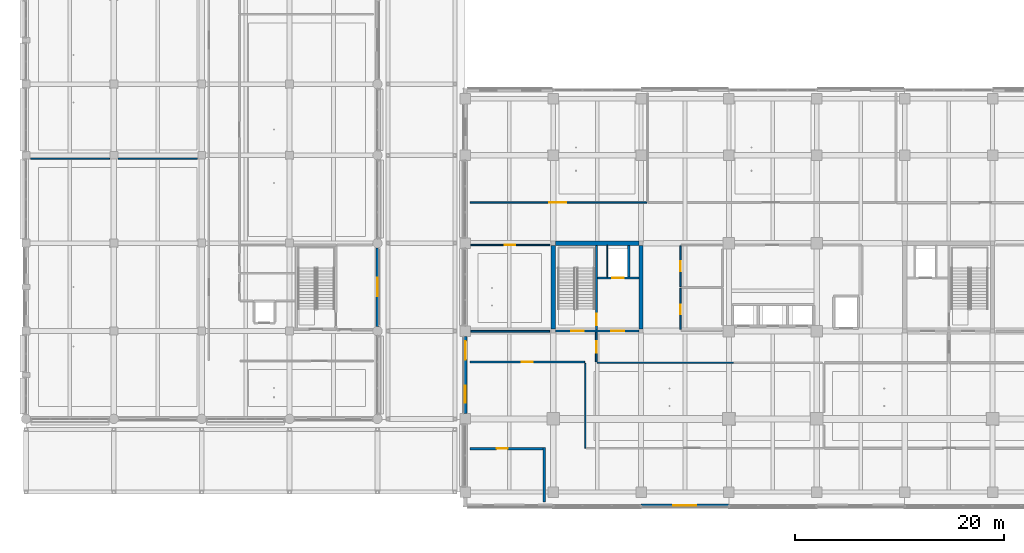
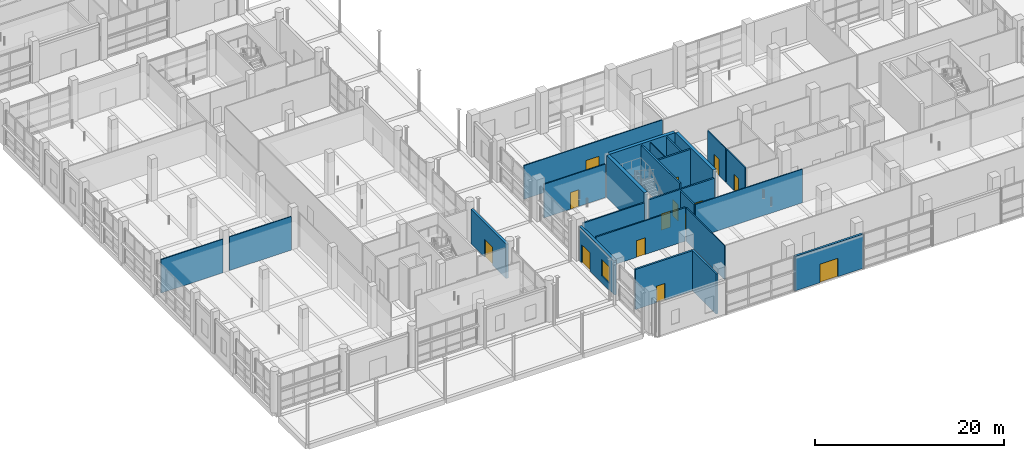
# One storey, part 58 of 140: 24 walls, 14 doors, 1 window, 15 openings.
"""IFC4 building model written with IfcOpenShell, lengths in metres."""

from ifc_helpers import new_model, si_unit, direction, frame, frame_2d, origin, place, context, subcontext, project, spatial, rectangle, extrude, material, layer, layer_set, type_object, element, fill, save


model = new_model("IFC4")

# Units and contexts
model_context = context("Model", 3, precision=1e-05, world=origin(), true_north=direction((0.0, 1.0)))
body_context = subcontext(model_context, "Body", "Model", "MODEL_VIEW")
ifc_project = project(units=[si_unit("LENGTHUNIT", "METRE"), si_unit("AREAUNIT", "SQUARE_METRE"), si_unit("VOLUMEUNIT", "CUBIC_METRE"), si_unit("PLANEANGLEUNIT", "RADIAN"), si_unit("MASSUNIT", "GRAM", prefix="KILO")], contexts=[model_context])

# Site, building, storey
site_placement = place(None, origin())
site = spatial("IfcSite", under=ifc_project, at=site_placement, CompositionType="ELEMENT")
building_placement = place(site_placement, origin())
building = spatial("IfcBuilding", under=site, at=building_placement, Name="Telukmera Botanical Conservatory", CompositionType="ELEMENT")
storey_placement = place(building_placement, origin())
storey = spatial("IfcBuildingStorey", under=building, at=storey_placement, Name="L00", CompositionType="ELEMENT", Elevation=0.0)

# Wall, opening, door
ifc_material_1 = material(Name="Granite-faced precast concrete C40/50", Category="masonry")
ifc_layer_1 = layer(ifc_material_1, 0.260009765625)
ifc_layer_set_1 = layer_set([ifc_layer_1], Name="Granite-faced precast concrete C40/50")
wall_type_1 = type_object("IfcWallType", Name="Exterior Granite Precast Plinth Wall 260", PredefinedType="SOLIDWALL", material=ifc_layer_set_1)
wall_1_placement = place(storey_placement, frame((67.201904296875, 9.320068359375, 0.0), z_axis=(0.0, 0.0, 1.0), x_axis=(1.0, 0.0, 0.0)))
wall_1 = element("IfcWall", 1, at=wall_1_placement, inside=storey, type_object=wall_type_1, Name="Exterior Precast Wall EW01 V4:L00:S3", PredefinedType="SOLIDWALL", context=body_context, shape_type="SweptSolid", body=[
    extrude(rectangle(XDim=8.39599609375, YDim=0.260009765625, at=frame_2d((4.197998046875, 0.0))), origin(), (0.0, 0.0, 1.0), 4.449951171875),
])
opening_1_placement = place(wall_1_placement, frame((3.097900390625, 0.0, 0.0)))
opening_1 = element("IfcOpeningElement", 2, at=opening_1_placement, cuts=wall_1, Name="Opening D001", PredefinedType="OPENING", context=body_context, shape_type="SweptSolid", body=[
    extrude(rectangle(XDim=2.199951171875, YDim=2.39990234375, at=frame_2d((1.10009765625, 1.199951171875))), frame((0.0, 0.139892578125, 0.0), z_axis=(0.0, -1.0, 0.0), x_axis=(1.0, 0.0, 0.0)), (0.0, 0.0, 1.0), 0.280029296875),
])
ifc_material_2 = material(Name="Thermally broken anodised aluminium glazed door assembly", Category="aluminium")
door_type_1 = type_object("IfcDoorType", Name="Main Boulevard Tower West Entrance Double Door 2200x2400", OperationType="NOTDEFINED", PredefinedType="DOOR", material=ifc_material_2)
door_1_placement = place(opening_1_placement, frame((2.199951171875, 0.0, 0.0), z_axis=(0.0, 0.0, 1.0), x_axis=(-1.0, 0.0, 0.0)))
door_1 = element("IfcDoor", 3, at=door_1_placement, inside=storey, type_object=door_type_1, Name="Exterior Door D001", OperationType="DOUBLE_DOOR_SINGLE_SWING", OverallHeight=2.39990234375, OverallWidth=2.199951171875, PredefinedType="DOOR", context=body_context, shape_type="SweptSolid", body=[
    extrude(rectangle(XDim=2.199951171875, YDim=2.39990234375, at=frame_2d((1.10009765625, 1.199951171875))), frame((0.0, 0.02490234375, 0.0), z_axis=(0.0, -1.0, 0.0), x_axis=(1.0, 0.0, 0.0)), (0.0, 0.0, 1.0), 0.050048828125),
])
fill(opening_1, door_1)

ifc_material_3 = material(Name="Terracotta-faced precast concrete C40/50", Category="masonry")
ifc_layer_2 = layer(ifc_material_3, 0.300048828125)
ifc_layer_set_2 = layer_set([ifc_layer_2], Name="Terracotta-faced precast concrete C40/50")
wall_type_2 = type_object("IfcWallType", Name="Exterior Polychrome Terracotta Precast Wall 300", PredefinedType="SOLIDWALL", material=ifc_layer_set_2)
wall_2_placement = place(storey_placement, frame((42.0, 26.451904296875, 0.0), z_axis=(0.0, 0.0, 1.0), x_axis=(0.0, 1.0, 0.0)))
wall_2 = element("IfcWall", 4, at=wall_2_placement, inside=storey, type_object=wall_type_2, Name="Exterior Precast Wall EW02 V3:L00:E2", PredefinedType="SOLIDWALL", context=body_context, shape_type="SweptSolid", body=[
    extrude(rectangle(XDim=7.49609375, YDim=0.300048828125, at=frame_2d((3.748046875, 0.0))), origin(), (0.0, 0.0, 1.0), 4.449951171875),
])
opening_2_placement = place(wall_2_placement, frame((2.873046875, 0.0, 0.0)))
opening_2 = element("IfcOpeningElement", 5, at=opening_2_placement, cuts=wall_2, Name="Opening D013", PredefinedType="OPENING", context=body_context, shape_type="SweptSolid", body=[
    extrude(rectangle(XDim=1.75, YDim=2.35009765625, at=frame_2d((0.875, 1.175048828125))), frame((0.0, 0.159912109375, 0.0), z_axis=(0.0, -1.0, 0.0), x_axis=(1.0, 0.0, 0.0)), (0.0, 0.0, 1.0), 0.320068359375),
])
door_type_2 = type_object("IfcDoorType", Name="Protected Stair Exit Vestibule Final Exit Door 1750x2350", OperationType="NOTDEFINED", PredefinedType="DOOR", material=ifc_material_2)
door_2_placement = place(opening_2_placement, frame((1.75, 0.0, 0.0), z_axis=(0.0, 0.0, 1.0), x_axis=(-1.0, 0.0, 0.0)))
door_2 = element("IfcDoor", 6, at=door_2_placement, inside=storey, type_object=door_type_2, Name="Exterior Door D013", OperationType="DOUBLE_DOOR_SINGLE_SWING", OverallHeight=2.35009765625, OverallWidth=1.75, PredefinedType="DOOR", context=body_context, shape_type="SweptSolid", body=[
    extrude(rectangle(XDim=1.75, YDim=2.35009765625, at=frame_2d((0.875, 1.175048828125))), frame((0.0, 0.02490234375, 0.0), z_axis=(0.0, -1.0, 0.0), x_axis=(1.0, 0.0, 0.0)), (0.0, 0.0, 1.0), 0.050048828125),
])
fill(opening_2, door_2)

# Wall, openings, window, door
wall_3_placement = place(storey_placement, frame((50.39990234375, 18.10205078125, 0.0), z_axis=(0.0, 0.0, 1.0), x_axis=(0.0, 1.0, 0.0)))
wall_3 = element("IfcWall", 7, at=wall_3_placement, inside=storey, type_object=wall_type_2, Name="Exterior Precast Wall EW02 V4:L00:W2", PredefinedType="SOLIDWALL", context=body_context, shape_type="SweptSolid", body=[
    extrude(rectangle(XDim=7.39599609375, YDim=0.300048828125, at=frame_2d((3.697998046875, 0.0))), origin(), (0.0, 0.0, 1.0), 4.449951171875),
])
opening_3_placement = place(wall_3_placement, frame((5.173095703125, 0.0, 0.0)))
opening_3 = element("IfcOpeningElement", 8, at=opening_3_placement, cuts=wall_3, Name="Opening D013", PredefinedType="OPENING", context=body_context, shape_type="SweptSolid", body=[
    extrude(rectangle(XDim=1.75, YDim=2.35009765625, at=frame_2d((0.875, 1.175048828125))), frame((0.0, 0.159912109375, 0.0), z_axis=(0.0, -1.0, 0.0), x_axis=(1.0, 0.0, 0.0)), (0.0, 0.0, 1.0), 0.320068359375),
])
opening_4_placement = place(wall_3_placement, frame((1.049072265625, 0.0, 0.89990234375)))
opening_4 = element("IfcOpeningElement", 9, at=opening_4_placement, cuts=wall_3, Name="Opening W07", PredefinedType="OPENING", context=body_context, shape_type="SweptSolid", body=[
    extrude(rectangle(XDim=1.60009765625, YDim=2.10009765625, at=frame_2d((0.800048828125, 1.050048828125))), frame((0.0, 0.159912109375, 0.0), z_axis=(0.0, -1.0, 0.0), x_axis=(1.0, 0.0, 0.0)), (0.0, 0.0, 1.0), 0.320068359375),
])
ifc_material_4 = material(Name="Thermally broken anodised aluminium frame with low-E double glazing", Category="aluminium")
window_type = type_object("IfcWindowType", Name="Double Vertical Curation Study Window 1600x2100", PartitioningType="DOUBLE_PANEL_VERTICAL", PredefinedType="WINDOW", material=ifc_material_4)
window_placement = place(opening_4_placement, origin())
window = element("IfcWindow", 10, at=window_placement, inside=storey, type_object=window_type, Name="Facade Window W07 V4:L00:W2 1", OverallHeight=2.10009765625, OverallWidth=1.60009765625, PartitioningType="DOUBLE_PANEL_VERTICAL", PredefinedType="WINDOW", context=body_context, shape_type="SweptSolid", body=[
    extrude(rectangle(XDim=1.60009765625, YDim=2.10009765625, at=frame_2d((0.800048828125, 1.050048828125))), frame((0.0, 0.030029296875, 0.0), z_axis=(0.0, -1.0, 0.0), x_axis=(1.0, 0.0, 0.0)), (0.0, 0.0, 1.0), 0.06005859375),
])
fill(opening_4, window)
door_3_placement = place(opening_3_placement, origin())
door_3 = element("IfcDoor", 11, at=door_3_placement, inside=storey, type_object=door_type_2, Name="Exterior Door D013", OperationType="DOUBLE_DOOR_SINGLE_SWING", OverallHeight=2.35009765625, OverallWidth=1.75, PredefinedType="DOOR", context=body_context, shape_type="SweptSolid", body=[
    extrude(rectangle(XDim=1.75, YDim=2.35009765625, at=frame_2d((0.875, 1.175048828125))), frame((0.0, 0.02490234375, 0.0), z_axis=(0.0, -1.0, 0.0), x_axis=(1.0, 0.0, 0.0)), (0.0, 0.0, 1.0), 0.050048828125),
])
fill(opening_3, door_3)

# Wall, openings, doors
ifc_material_5 = material(Name="Concrete C40/50", Category="concrete")
ifc_layer_3 = layer(ifc_material_5, 0.199951171875)
ifc_layer_set_3 = layer_set([ifc_layer_3], Name="Concrete C40/50")
wall_type_3 = type_object("IfcWallType", Name="WT-CORE-200", PredefinedType="SOLIDWALL", material=ifc_layer_set_3)
wall_4_placement = place(storey_placement, frame((59.0, 26.0, 0.0), z_axis=(0.0, 0.0, 1.0), x_axis=(1.0, 0.0, 0.0)))
wall_4 = element("IfcWall", 12, at=wall_4_placement, inside=storey, type_object=wall_type_3, Name="L00 Core C1 South Fire Wall", PredefinedType="SOLIDWALL", context=body_context, shape_type="SweptSolid", body=[
    extrude(rectangle(XDim=8.0, YDim=0.199951171875, at=frame_2d((4.0, 0.0))), origin(), (0.0, 0.0, 1.0), 4.530029296875),
])
opening_5_placement = place(wall_4_placement, frame((1.550048828125, 0.0, 0.0)))
opening_5 = element("IfcOpeningElement", 13, at=opening_5_placement, cuts=wall_4, Name="Opening FD60A", PredefinedType="OPENING", context=body_context, shape_type="SweptSolid", body=[
    extrude(rectangle(XDim=1.14990234375, YDim=2.14990234375, at=frame_2d((0.574951171875, 1.074951171875))), frame((0.0, 0.10986328125, 0.0), z_axis=(0.0, -1.0, 0.0), x_axis=(1.0, 0.0, 0.0)), (0.0, 0.0, 1.0), 0.219970703125),
])
opening_6_placement = place(wall_4_placement, frame((5.35009765625, 0.0, 0.0)))
opening_6 = element("IfcOpeningElement", 14, at=opening_6_placement, cuts=wall_4, Name="Opening FD60C", PredefinedType="OPENING", context=body_context, shape_type="SweptSolid", body=[
    extrude(rectangle(XDim=1.219970703125, YDim=2.14990234375, at=frame_2d((0.60986328125, 1.074951171875))), frame((0.0, 0.10986328125, 0.0), z_axis=(0.0, -1.0, 0.0), x_axis=(1.0, 0.0, 0.0)), (0.0, 0.0, 1.0), 0.219970703125),
])
ifc_material_6 = material(Name="Hardwood fire door", Category="wood")
door_type_3 = type_object("IfcDoorType", Name="DT-FD60-01", OperationType="NOTDEFINED", PredefinedType="DOOR", material=ifc_material_6)
door_4_placement = place(opening_5_placement, frame((1.14990234375, 0.0, 0.0), z_axis=(0.0, 0.0, 1.0), x_axis=(-1.0, 0.0, 0.0)))
door_4 = element("IfcDoor", 15, at=door_4_placement, inside=storey, type_object=door_type_3, Name="L00 Stair ST1 Escape Door", OperationType="SINGLE_SWING_RIGHT", OverallHeight=2.14990234375, OverallWidth=1.14990234375, PredefinedType="DOOR", context=body_context, shape_type="SweptSolid", body=[
    extrude(rectangle(XDim=1.14990234375, YDim=2.14990234375, at=frame_2d((0.574951171875, 1.074951171875))), frame((0.0, 0.02490234375, 0.0), z_axis=(0.0, -1.0, 0.0), x_axis=(1.0, 0.0, 0.0)), (0.0, 0.0, 1.0), 0.050048828125),
])
fill(opening_5, door_4)
door_type_4 = type_object("IfcDoorType", Name="DT-FD60-03", OperationType="NOTDEFINED", PredefinedType="DOOR", material=ifc_material_6)
door_5_placement = place(opening_6_placement, origin())
door_5 = element("IfcDoor", 16, at=door_5_placement, inside=storey, type_object=door_type_4, Name="L00 Firefighting Lobby C1 Door", OperationType="SINGLE_SWING_LEFT", OverallHeight=2.14990234375, OverallWidth=1.219970703125, PredefinedType="DOOR", context=body_context, shape_type="SweptSolid", body=[
    extrude(rectangle(XDim=1.219970703125, YDim=2.14990234375, at=frame_2d((0.60986328125, 1.074951171875))), frame((0.0, 0.02490234375, 0.0), z_axis=(0.0, -1.0, 0.0), x_axis=(1.0, 0.0, 0.0)), (0.0, 0.0, 1.0), 0.050048828125),
])
fill(opening_6, door_5)

# Wall, opening, door
wall_5_placement = place(storey_placement, frame((62.949951171875, 26.10009765625, 0.0), z_axis=(0.0, 0.0, 1.0), x_axis=(0.0, 1.0, 0.0)))
wall_5 = element("IfcWall", 17, at=wall_5_placement, inside=storey, type_object=wall_type_3, Name="L00 Core C1 Stair-Lobby Wall", PredefinedType="SOLIDWALL", context=body_context, shape_type="SweptSolid", body=[
    extrude(rectangle(XDim=8.099853515625, YDim=0.199951171875, at=frame_2d((4.0498046875, 0.0))), origin(), (0.0, 0.0, 1.0), 5.199951171875),
])
opening_7_placement = place(wall_5_placement, frame((0.449951171875, 0.0, 0.0)))
opening_7 = element("IfcOpeningElement", 18, at=opening_7_placement, cuts=wall_5, Name="Opening FD60B", PredefinedType="OPENING", context=body_context, shape_type="SweptSolid", body=[
    extrude(rectangle(XDim=1.1201171875, YDim=2.14990234375, at=frame_2d((0.56005859375, 1.074951171875))), frame((0.0, 0.10986328125, 0.0), z_axis=(0.0, -1.0, 0.0), x_axis=(1.0, 0.0, 0.0)), (0.0, 0.0, 1.0), 0.219970703125),
])
door_type_5 = type_object("IfcDoorType", Name="DT-FD60-02", OperationType="NOTDEFINED", PredefinedType="DOOR", material=ifc_material_6)
door_6_placement = place(opening_7_placement, frame((1.1201171875, 0.0, 0.0), z_axis=(0.0, 0.0, 1.0), x_axis=(-1.0, 0.0, 0.0)))
door_6 = element("IfcDoor", 19, at=door_6_placement, inside=storey, type_object=door_type_5, Name="L00 Firefighting Lobby C1 to ST1 Door", OperationType="SINGLE_SWING_RIGHT", OverallHeight=2.14990234375, OverallWidth=1.1201171875, PredefinedType="DOOR", context=body_context, shape_type="SweptSolid", body=[
    extrude(rectangle(XDim=1.1201171875, YDim=2.14990234375, at=frame_2d((0.56005859375, 1.074951171875))), frame((0.0, 0.02490234375, 0.0), z_axis=(0.0, -1.0, 0.0), x_axis=(1.0, 0.0, 0.0)), (0.0, 0.0, 1.0), 0.050048828125),
])
fill(opening_7, door_6)

wall_6_placement = place(storey_placement, frame((63.050048828125, 31.050048828125, 0.0), z_axis=(0.0, 0.0, 1.0), x_axis=(1.0, 0.0, 0.0)))
wall_6 = element("IfcWall", 20, at=wall_6_placement, inside=storey, type_object=wall_type_3, Name="L00 Fire Lift FL1 Shaft Front Wall", PredefinedType="SOLIDWALL", context=body_context, shape_type="SweptSolid", body=[
    extrude(rectangle(XDim=3.949951171875, YDim=0.199951171875, at=frame_2d((1.97509765625, 0.0))), origin(), (0.0, 0.0, 1.0), 5.199951171875),
])
opening_8_placement = place(wall_6_placement, frame((1.39990234375, 0.0, 0.0)))
opening_8 = element("IfcOpeningElement", 21, at=opening_8_placement, cuts=wall_6, Name="Opening LD01", PredefinedType="OPENING", context=body_context, shape_type="SweptSolid", body=[
    extrude(rectangle(XDim=1.10009765625, YDim=2.14990234375, at=frame_2d((0.550048828125, 1.074951171875))), frame((0.0, 0.10986328125, 0.0), z_axis=(0.0, -1.0, 0.0), x_axis=(1.0, 0.0, 0.0)), (0.0, 0.0, 1.0), 0.219970703125),
])
ifc_material_7 = material(Name="Stainless steel 316", Category="steel")
door_type_6 = type_object("IfcDoorType", Name="DT-LD01", OperationType="SLIDING_TO_LEFT", PredefinedType="DOOR", material=ifc_material_7)
door_7_placement = place(opening_8_placement, frame((1.10009765625, 0.0, 0.0), z_axis=(0.0, 0.0, 1.0), x_axis=(-1.0, 0.0, 0.0)))
door_7 = element("IfcDoor", 22, at=door_7_placement, inside=storey, type_object=door_type_6, Name="L00 Lift Landing Door FL1", OperationType="SLIDING_TO_LEFT", OverallHeight=2.14990234375, OverallWidth=1.10009765625, PredefinedType="DOOR", context=body_context, shape_type="SweptSolid", body=[
    extrude(rectangle(XDim=1.10009765625, YDim=2.14990234375, at=frame_2d((0.550048828125, 1.074951171875))), frame((0.0, 0.02490234375, 0.0), z_axis=(0.0, -1.0, 0.0), x_axis=(1.0, 0.0, 0.0)), (0.0, 0.0, 1.0), 0.050048828125),
])
fill(opening_8, door_7)

# Walls
wall_7_placement = place(storey_placement, frame((66.02001953125, 31.14990234375, 0.0), z_axis=(0.0, 0.0, 1.0), x_axis=(0.0, 1.0, 0.0)))
element("IfcWall", 23, at=wall_7_placement, inside=storey, type_object=wall_type_3, Name="L00 Fire Lift FL1 Shaft East Wall", PredefinedType="SOLIDWALL", context=body_context, shape_type="SweptSolid", body=[
    extrude(rectangle(XDim=3.050048828125, YDim=0.199951171875, at=frame_2d((1.52490234375, 0.0))), origin(), (0.0, 0.0, 1.0), 5.199951171875),
])
ifc_material_8 = material(Name="Aluminium framed acoustic glass", Category="aluminium")
ifc_layer_4 = layer(ifc_material_8, 0.1201171875)
ifc_layer_set_4 = layer_set([ifc_layer_4], Name="Aluminium framed acoustic glass")
wall_type_4 = type_object("IfcWallType", Name="WT-GLAZ-120", PredefinedType="PARTITIONING", material=ifc_layer_set_4)
wall_8_placement = place(storey_placement, frame((8.85009765625, 42.47509765625, 0.0), z_axis=(0.0, 0.0, 1.0), x_axis=(1.0, 0.0, 0.0)))
element("IfcWall", 24, at=wall_8_placement, inside=storey, type_object=wall_type_4, Name="L00 Interior Partition 17", PredefinedType="PARTITIONING", context=body_context, shape_type="SweptSolid", body=[
    extrude(rectangle(XDim=7.544921875, YDim=0.1201171875, at=frame_2d((3.7724609375, 0.0))), origin(), (0.0, 0.0, 1.0), 4.35009765625),
])
wall_9_placement = place(storey_placement, frame((17.205078125, 42.47509765625, 0.0), z_axis=(0.0, 0.0, 1.0), x_axis=(1.0, 0.0, 0.0)))
element("IfcWall", 25, at=wall_9_placement, inside=storey, type_object=wall_type_4, Name="L00 Interior Partition 18", PredefinedType="PARTITIONING", context=body_context, shape_type="SweptSolid", body=[
    extrude(rectangle(XDim=7.58984375, YDim=0.1201171875, at=frame_2d((3.794921875, 0.0))), origin(), (0.0, 0.0, 1.0), 4.35009765625),
])

# Wall, opening, door
wall_10_placement = place(storey_placement, frame((50.929931640625, 34.22509765625, 0.0), z_axis=(0.0, 0.0, 1.0), x_axis=(1.0, 0.0, 0.0)))
wall_10 = element("IfcWall", 26, at=wall_10_placement, inside=storey, type_object=wall_type_4, Name="L00 Interior Partition 72", PredefinedType="PARTITIONING", context=body_context, shape_type="SweptSolid", body=[
    extrude(rectangle(XDim=7.52001953125, YDim=0.1201171875, at=frame_2d((3.760009765625, 0.0))), origin(), (0.0, 0.0, 1.0), 4.35009765625),
])
opening_9_placement = place(wall_10_placement, frame((3.260009765625, 0.0, 0.0)))
opening_9 = element("IfcOpeningElement", 27, at=opening_9_placement, cuts=wall_10, Name="Opening ID14", PredefinedType="OPENING", context=body_context, shape_type="SweptSolid", body=[
    extrude(rectangle(XDim=1.0, YDim=2.14990234375, at=frame_2d((0.5, 1.074951171875))), frame((0.0, 0.070068359375, 0.0), z_axis=(0.0, -1.0, 0.0), x_axis=(1.0, 0.0, 0.0)), (0.0, 0.0, 1.0), 0.14013671875),
])
ifc_material_9 = material(Name="Acoustic timber office door", Category="wood")
door_type_7 = type_object("IfcDoorType", Name="DT-WRT-100", OperationType="NOTDEFINED", PredefinedType="DOOR", material=ifc_material_9)
door_8_placement = place(opening_9_placement, frame((1.0, 0.0, 0.0), z_axis=(0.0, 0.0, 1.0), x_axis=(-1.0, 0.0, 0.0)))
door_8 = element("IfcDoor", 28, at=door_8_placement, inside=storey, type_object=door_type_7, Name="L00 Boulevard Security Control Room Door", OperationType="SINGLE_SWING_LEFT", OverallHeight=2.14990234375, OverallWidth=1.0, PredefinedType="DOOR", context=body_context, shape_type="SweptSolid", body=[
    extrude(rectangle(XDim=1.0, YDim=2.14990234375, at=frame_2d((0.5, 1.074951171875))), frame((0.0, 0.02490234375, 0.0), z_axis=(0.0, -1.0, 0.0), x_axis=(1.0, 0.0, 0.0)), (0.0, 0.0, 1.0), 0.050048828125),
])
fill(opening_9, door_8)

# Walls
wall_11_placement = place(storey_placement, frame((63.0, 22.97509765625, 0.0), z_axis=(0.0, 0.0, 1.0), x_axis=(1.0, 0.0, 0.0)))
element("IfcWall", 29, at=wall_11_placement, inside=storey, type_object=wall_type_4, Name="L00 Interior Partition 79", PredefinedType="PARTITIONING", context=body_context, shape_type="SweptSolid", body=[
    extrude(rectangle(XDim=13.0400390625, YDim=0.1201171875, at=frame_2d((6.52001953125, 0.0))), origin(), (0.0, 0.0, 1.0), 4.35009765625),
])
wall_12_placement = place(storey_placement, frame((61.875, 14.800048828125, 0.0), z_axis=(0.0, 0.0, 1.0), x_axis=(0.0, 1.0, 0.0)))
element("IfcWall", 30, at=wall_12_placement, inside=storey, type_object=wall_type_4, Name="L00 Interior Partition 83", PredefinedType="PARTITIONING", context=body_context, shape_type="SweptSolid", body=[
    extrude(rectangle(XDim=8.099853515625, YDim=0.1201171875, at=frame_2d((4.0498046875, 0.0))), origin(), (0.0, 0.0, 1.0), 4.35009765625),
])

# Wall, opening, door
wall_13_placement = place(storey_placement, frame((50.85009765625, 38.27490234375, 0.0), z_axis=(0.0, 0.0, 1.0), x_axis=(1.0, 0.0, 0.0)))
wall_13 = element("IfcWall", 31, at=wall_13_placement, inside=storey, type_object=wall_type_4, Name="L00 Interior Partition 88", PredefinedType="PARTITIONING", context=body_context, shape_type="SweptSolid", body=[
    extrude(rectangle(XDim=16.89990234375, YDim=0.1201171875, at=frame_2d((8.449951171875, 0.0))), origin(), (0.0, 0.0, 1.0), 4.35009765625),
])
opening_10_placement = place(wall_13_placement, frame((7.5751953125, 0.0, 0.0)))
opening_10 = element("IfcOpeningElement", 32, at=opening_10_placement, cuts=wall_13, Name="Opening ID03", PredefinedType="OPENING", context=body_context, shape_type="SweptSolid", body=[
    extrude(rectangle(XDim=1.60009765625, YDim=2.35009765625, at=frame_2d((0.800048828125, 1.175048828125))), frame((0.0, 0.070068359375, 0.0), z_axis=(0.0, -1.0, 0.0), x_axis=(1.0, 0.0, 0.0)), (0.0, 0.0, 1.0), 0.14013671875),
])
ifc_material_10 = material(Name="Anodised aluminium glazed double door", Category="aluminium")
door_type_8 = type_object("IfcDoorType", Name="DT-GAL-160", OperationType="NOTDEFINED", PredefinedType="DOOR", material=ifc_material_10)
door_9_placement = place(opening_10_placement, origin())
door_9 = element("IfcDoor", 33, at=door_9_placement, inside=storey, type_object=door_type_8, Name="L00 Tropical Flora Exhibition Gallery Door", OperationType="SINGLE_SWING_LEFT", OverallHeight=2.35009765625, OverallWidth=1.60009765625, PredefinedType="DOOR", context=body_context, shape_type="SweptSolid", body=[
    extrude(rectangle(XDim=1.60009765625, YDim=2.35009765625, at=frame_2d((0.800048828125, 1.175048828125))), frame((0.0, 0.02490234375, 0.0), z_axis=(0.0, -1.0, 0.0), x_axis=(1.0, 0.0, 0.0)), (0.0, 0.0, 1.0), 0.050048828125),
])
fill(opening_10, door_9)

# Wall
ifc_material_11 = material(Name="Blockwork masonry", Category="masonry")
ifc_layer_5 = layer(ifc_material_11, 0.169921875)
ifc_layer_set_5 = layer_set([ifc_layer_5], Name="Blockwork masonry")
wall_type_5 = type_object("IfcWallType", Name="WT-PLANT-170", PredefinedType="PARTITIONING", material=ifc_layer_set_5)
wall_14_placement = place(storey_placement, frame((50.929931640625, 25.97509765625, 0.0), z_axis=(0.0, 0.0, 1.0), x_axis=(1.0, 0.0, 0.0)))
element("IfcWall", 34, at=wall_14_placement, inside=storey, type_object=wall_type_5, Name="L00 Interior Partition 71", PredefinedType="PARTITIONING", context=body_context, shape_type="SweptSolid", body=[
    extrude(rectangle(XDim=7.52001953125, YDim=0.169921875, at=frame_2d((3.760009765625, 0.0))), origin(), (0.0, 0.0, 1.0), 4.35009765625),
])

# Wall, opening, door
wall_15_placement = place(storey_placement, frame((62.925048828125, 23.050048828125, 0.0), z_axis=(0.0, 0.0, 1.0), x_axis=(0.0, 1.0, 0.0)))
wall_15 = element("IfcWall", 35, at=wall_15_placement, inside=storey, type_object=wall_type_5, Name="L00 Interior Partition 77", PredefinedType="PARTITIONING", context=body_context, shape_type="SweptSolid", body=[
    extrude(rectangle(XDim=2.849853515625, YDim=0.169921875, at=frame_2d((1.4248046875, 0.0))), origin(), (0.0, 0.0, 1.0), 4.35009765625),
])
opening_11_placement = place(wall_15_placement, frame((0.885009765625, 0.0, 0.0)))
opening_11 = element("IfcOpeningElement", 36, at=opening_11_placement, cuts=wall_15, Name="Opening FD60E", PredefinedType="OPENING", context=body_context, shape_type="SweptSolid", body=[
    extrude(rectangle(XDim=1.080078125, YDim=2.14990234375, at=frame_2d((0.5400390625, 1.074951171875))), frame((0.0, 0.094970703125, 0.0), z_axis=(0.0, -1.0, 0.0), x_axis=(1.0, 0.0, 0.0)), (0.0, 0.0, 1.0), 0.18994140625),
])
door_type_9 = type_object("IfcDoorType", Name="DT-FD60-05", OperationType="NOTDEFINED", PredefinedType="DOOR", material=ifc_material_6)
door_10_placement = place(opening_11_placement, origin())
door_10 = element("IfcDoor", 37, at=door_10_placement, inside=storey, type_object=door_type_9, Name="L00 ST1 Exit Vestibule Corridor Fire Door", OperationType="SINGLE_SWING_RIGHT", OverallHeight=2.14990234375, OverallWidth=1.080078125, PredefinedType="DOOR", context=body_context, shape_type="SweptSolid", body=[
    extrude(rectangle(XDim=1.080078125, YDim=2.14990234375, at=frame_2d((0.5400390625, 1.074951171875))), frame((0.0, 0.02490234375, 0.0), z_axis=(0.0, -1.0, 0.0), x_axis=(1.0, 0.0, 0.0)), (0.0, 0.0, 1.0), 0.050048828125),
])
fill(opening_11, door_10)

wall_16_placement = place(storey_placement, frame((50.85009765625, 23.050048828125, 0.0), z_axis=(0.0, 0.0, 1.0), x_axis=(1.0, 0.0, 0.0)))
wall_16 = element("IfcWall", 38, at=wall_16_placement, inside=storey, type_object=wall_type_5, Name="L00 Interior Partition 78", PredefinedType="PARTITIONING", context=body_context, shape_type="SweptSolid", body=[
    extrude(rectangle(XDim=10.949951171875, YDim=0.169921875, at=frame_2d((5.47509765625, 0.0))), origin(), (0.0, 0.0, 1.0), 4.35009765625),
])
opening_12_placement = place(wall_16_placement, frame((4.93505859375, 0.0, 0.0)))
opening_12 = element("IfcOpeningElement", 39, at=opening_12_placement, cuts=wall_16, Name="Opening FD60E", PredefinedType="OPENING", context=body_context, shape_type="SweptSolid", body=[
    extrude(rectangle(XDim=1.080078125, YDim=2.14990234375, at=frame_2d((0.5400390625, 1.074951171875))), frame((0.0, 0.094970703125, 0.0), z_axis=(0.0, -1.0, 0.0), x_axis=(1.0, 0.0, 0.0)), (0.0, 0.0, 1.0), 0.18994140625),
])
door_11_placement = place(opening_12_placement, origin())
door_11 = element("IfcDoor", 40, at=door_11_placement, inside=storey, type_object=door_type_9, Name="L00 ST1 Exit Vestibule Corridor Fire Door", OperationType="SINGLE_SWING_LEFT", OverallHeight=2.14990234375, OverallWidth=1.080078125, PredefinedType="DOOR", context=body_context, shape_type="SweptSolid", body=[
    extrude(rectangle(XDim=1.080078125, YDim=2.14990234375, at=frame_2d((0.5400390625, 1.074951171875))), frame((0.0, 0.02490234375, 0.0), z_axis=(0.0, -1.0, 0.0), x_axis=(1.0, 0.0, 0.0)), (0.0, 0.0, 1.0), 0.050048828125),
])
fill(opening_12, door_11)

# Wall
ifc_material_12 = material(Name="Gypsum shaftwall liner")
ifc_layer_6 = layer(ifc_material_12, 0.110107421875)
ifc_layer_set_6 = layer_set([ifc_layer_6], Name="Gypsum shaftwall liner")
wall_type_6 = type_object("IfcWallType", Name="WT-RISER-110", PredefinedType="PARTITIONING", material=ifc_layer_set_6)
wall_17_placement = place(storey_placement, frame((63.97998046875, 31.14990234375, 0.0), z_axis=(0.0, 0.0, 1.0), x_axis=(0.0, 1.0, 0.0)))
element("IfcWall", 41, at=wall_17_placement, inside=storey, type_object=wall_type_6, Name="L00 Wet Riser C1 Shaft Wall", PredefinedType="PARTITIONING", context=body_context, shape_type="SweptSolid", body=[
    extrude(rectangle(XDim=3.050048828125, YDim=0.110107421875, at=frame_2d((1.52490234375, 0.0))), origin(), (0.0, 0.0, 1.0), 5.199951171875),
])

# Wall, opening, door
ifc_layer_7 = layer(ifc_material_5, 0.219970703125)
ifc_layer_set_7 = layer_set([ifc_layer_7], Name="Concrete C40/50")
wall_type_7 = type_object("IfcWallType", Name="WT-VAULT-220", PredefinedType="SOLIDWALL", material=ifc_layer_set_7)
wall_18_placement = place(storey_placement, frame((50.85009765625, 14.75, 0.0), z_axis=(0.0, 0.0, 1.0), x_axis=(1.0, 0.0, 0.0)))
wall_18 = element("IfcWall", 42, at=wall_18_placement, inside=storey, type_object=wall_type_7, Name="L00 Fire Command Centre North Compartment Wall", PredefinedType="SOLIDWALL", context=body_context, shape_type="SweptSolid", body=[
    extrude(rectangle(XDim=7.0, YDim=0.219970703125, at=frame_2d((3.5, 0.0))), origin(), (0.0, 0.0, 1.0), 5.199951171875),
])
opening_13_placement = place(wall_18_placement, frame((2.550048828125, 0.0, 0.0)))
opening_13 = element("IfcOpeningElement", 43, at=opening_13_placement, cuts=wall_18, Name="Opening FD120B", PredefinedType="OPENING", context=body_context, shape_type="SweptSolid", body=[
    extrude(rectangle(XDim=1.050048828125, YDim=2.14990234375, at=frame_2d((0.52490234375, 1.074951171875))), frame((0.0, 0.119873046875, 0.0), z_axis=(0.0, -1.0, 0.0), x_axis=(1.0, 0.0, 0.0)), (0.0, 0.0, 1.0), 0.239990234375),
])
ifc_material_13 = material(Name="Galvanised steel fire door", Category="steel")
door_type_10 = type_object("IfcDoorType", Name="DT-FD120-02", OperationType="NOTDEFINED", PredefinedType="DOOR", material=ifc_material_13)
door_12_placement = place(opening_13_placement, origin())
door_12 = element("IfcDoor", 44, at=door_12_placement, inside=storey, type_object=door_type_10, Name="L00 Fire Command Centre FD120S Door", OperationType="SINGLE_SWING_LEFT", OverallHeight=2.14990234375, OverallWidth=1.050048828125, PredefinedType="DOOR", context=body_context, shape_type="SweptSolid", body=[
    extrude(rectangle(XDim=1.050048828125, YDim=2.14990234375, at=frame_2d((0.52490234375, 1.074951171875))), frame((0.0, 0.02490234375, 0.0), z_axis=(0.0, -1.0, 0.0), x_axis=(1.0, 0.0, 0.0)), (0.0, 0.0, 1.0), 0.050048828125),
])
fill(opening_13, door_12)

# Wall
wall_19_placement = place(storey_placement, frame((57.949951171875, 9.64990234375, 0.0), z_axis=(0.0, 0.0, 1.0), x_axis=(0.0, 1.0, 0.0)))
element("IfcWall", 45, at=wall_19_placement, inside=storey, type_object=wall_type_7, Name="L00 Fire Command Centre East Compartment Wall", PredefinedType="SOLIDWALL", context=body_context, shape_type="SweptSolid", body=[
    extrude(rectangle(XDim=5.2001953125, YDim=0.219970703125, at=frame_2d((2.60009765625, 0.0))), origin(), (0.0, 0.0, 1.0), 5.199951171875),
])

# Wall, opening, door
ifc_material_14 = material(Name="Moisture-resistant blockwork", Category="masonry")
ifc_layer_8 = layer(ifc_material_14, 0.135009765625)
ifc_layer_set_8 = layer_set([ifc_layer_8], Name="Moisture-resistant blockwork")
wall_type_8 = type_object("IfcWallType", Name="WT-WC-135", PredefinedType="PARTITIONING", material=ifc_layer_set_8)
wall_20_placement = place(storey_placement, frame((70.97509765625, 26.14990234375, 0.0), z_axis=(0.0, 0.0, 1.0), x_axis=(0.0, 1.0, 0.0)))
wall_20 = element("IfcWall", 46, at=wall_20_placement, inside=storey, type_object=wall_type_8, Name="L00 Interior Partition 63", PredefinedType="PARTITIONING", context=body_context, shape_type="SweptSolid", body=[
    extrude(rectangle(XDim=3.9501953125, YDim=0.135009765625, at=frame_2d((1.97509765625, 0.0))), origin(), (0.0, 0.0, 1.0), 4.35009765625),
])
opening_14_placement = place(wall_20_placement, frame((1.440673828125, 0.0, 0.0)))
opening_14 = element("IfcOpeningElement", 47, at=opening_14_placement, cuts=wall_20, Name="Opening ID17", PredefinedType="OPENING", context=body_context, shape_type="SweptSolid", body=[
    extrude(rectangle(XDim=0.919921875, YDim=2.1201171875, at=frame_2d((0.4599609375, 1.06005859375))), frame((0.0, 0.077392578125, 0.0), z_axis=(0.0, -1.0, 0.0), x_axis=(1.0, 0.0, 0.0)), (0.0, 0.0, 1.0), 0.155029296875),
])
ifc_material_15 = material(Name="Moisture-resistant laminate WC door")
door_type_11 = type_object("IfcDoorType", Name="DT-WC-092", OperationType="NOTDEFINED", PredefinedType="DOOR", material=ifc_material_15)
door_13_placement = place(opening_14_placement, origin())
door_13 = element("IfcDoor", 48, at=door_13_placement, inside=storey, type_object=door_type_11, Name="L00 Public WC Door", OperationType="SINGLE_SWING_RIGHT", OverallHeight=2.1201171875, OverallWidth=0.919921875, PredefinedType="DOOR", context=body_context, shape_type="SweptSolid", body=[
    extrude(rectangle(XDim=0.919921875, YDim=2.1201171875, at=frame_2d((0.4599609375, 1.06005859375))), frame((0.0, 0.02490234375, 0.0), z_axis=(0.0, -1.0, 0.0), x_axis=(1.0, 0.0, 0.0)), (0.0, 0.0, 1.0), 0.050048828125),
])
fill(opening_14, door_13)

wall_21_placement = place(storey_placement, frame((70.97509765625, 30.25, 0.0), z_axis=(0.0, 0.0, 1.0), x_axis=(0.0, 1.0, 0.0)))
wall_21 = element("IfcWall", 49, at=wall_21_placement, inside=storey, type_object=wall_type_8, Name="L00 Interior Partition 64", PredefinedType="PARTITIONING", context=body_context, shape_type="SweptSolid", body=[
    extrude(rectangle(XDim=3.89990234375, YDim=0.135009765625, at=frame_2d((1.949951171875, 0.0))), origin(), (0.0, 0.0, 1.0), 4.35009765625),
])
opening_15_placement = place(wall_21_placement, frame((1.4599609375, 0.0, 0.0)))
opening_15 = element("IfcOpeningElement", 50, at=opening_15_placement, cuts=wall_21, Name="Opening ID15", PredefinedType="OPENING", context=body_context, shape_type="SweptSolid", body=[
    extrude(rectangle(XDim=0.97998046875, YDim=2.14990234375, at=frame_2d((0.489990234375, 1.074951171875))), frame((0.0, 0.077392578125, 0.0), z_axis=(0.0, -1.0, 0.0), x_axis=(1.0, 0.0, 0.0)), (0.0, 0.0, 1.0), 0.155029296875),
])
ifc_material_16 = material(Name="Accessible sanitary laminate door")
door_type_12 = type_object("IfcDoorType", Name="DT-OKU-098", OperationType="NOTDEFINED", PredefinedType="DOOR", material=ifc_material_16)
door_14_placement = place(opening_15_placement, origin())
door_14 = element("IfcDoor", 51, at=door_14_placement, inside=storey, type_object=door_type_12, Name="L00 Accessible WC Door", OperationType="SINGLE_SWING_LEFT", OverallHeight=2.14990234375, OverallWidth=0.97998046875, PredefinedType="DOOR", context=body_context, shape_type="SweptSolid", body=[
    extrude(rectangle(XDim=0.97998046875, YDim=2.14990234375, at=frame_2d((0.489990234375, 1.074951171875))), frame((0.0, 0.02490234375, 0.0), z_axis=(0.0, -1.0, 0.0), x_axis=(1.0, 0.0, 0.0)), (0.0, 0.0, 1.0), 0.050048828125),
])
fill(opening_15, door_14)

# Walls
ifc_material_17 = material(Name="Concrete C50/60", Category="concrete")
ifc_layer_9 = layer(ifc_material_17, 0.39990234375)
ifc_layer_set_9 = layer_set([ifc_layer_9], Name="Concrete C50/60")
wall_type_9 = type_object("IfcWallType", Name="Wall_CW1", PredefinedType="SHEAR", material=ifc_layer_set_9)
for number, where, z_axis, x_axis, name in (
    (52, (58.800048828125, 26.199951171875, 0.0), (0.0, 0.0, 1.0), (0.0, 1.0, 0.0), "Core C1 Shear Wall West L00"),
    (53, (67.199951171875, 26.199951171875, 0.0), (0.0, 0.0, 1.0), (0.0, 1.0, 0.0), "Core C1 Shear Wall East L00"),
    (54, (59.0, 34.39990234375, 0.0), (0.0, 0.0, 1.0), (1.0, 0.0, 0.0), "Core C1 Shear Wall North L00"),
):
    element("IfcWall", number, at=place(storey_placement, frame(where, z_axis=z_axis, x_axis=x_axis)), inside=storey, type_object=wall_type_9, Name=name, PredefinedType="SHEAR", context=body_context, shape_type="SweptSolid", body=[
        extrude(rectangle(XDim=8.0, YDim=0.39990234375, at=frame_2d((4.0, 0.0))), origin(), (0.0, 0.0, 1.0), 5.39990234375),
    ])

save(model, "model.ifc")
